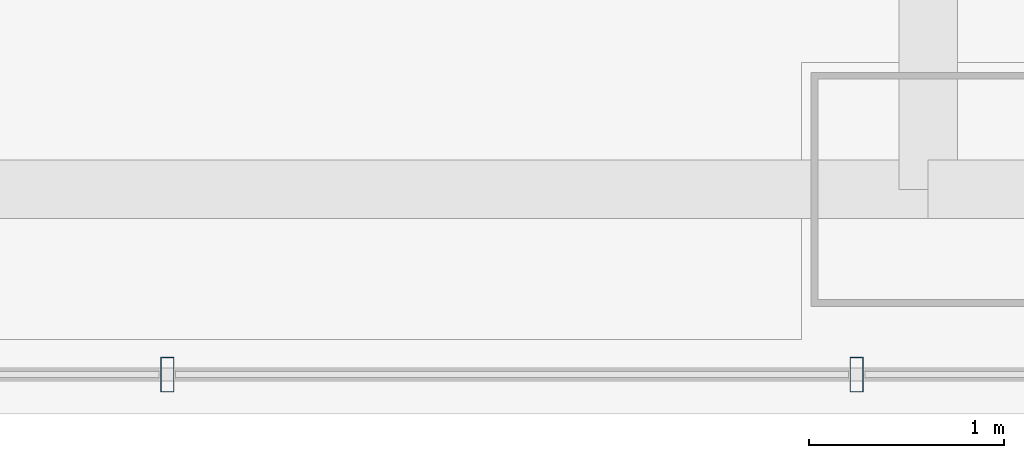
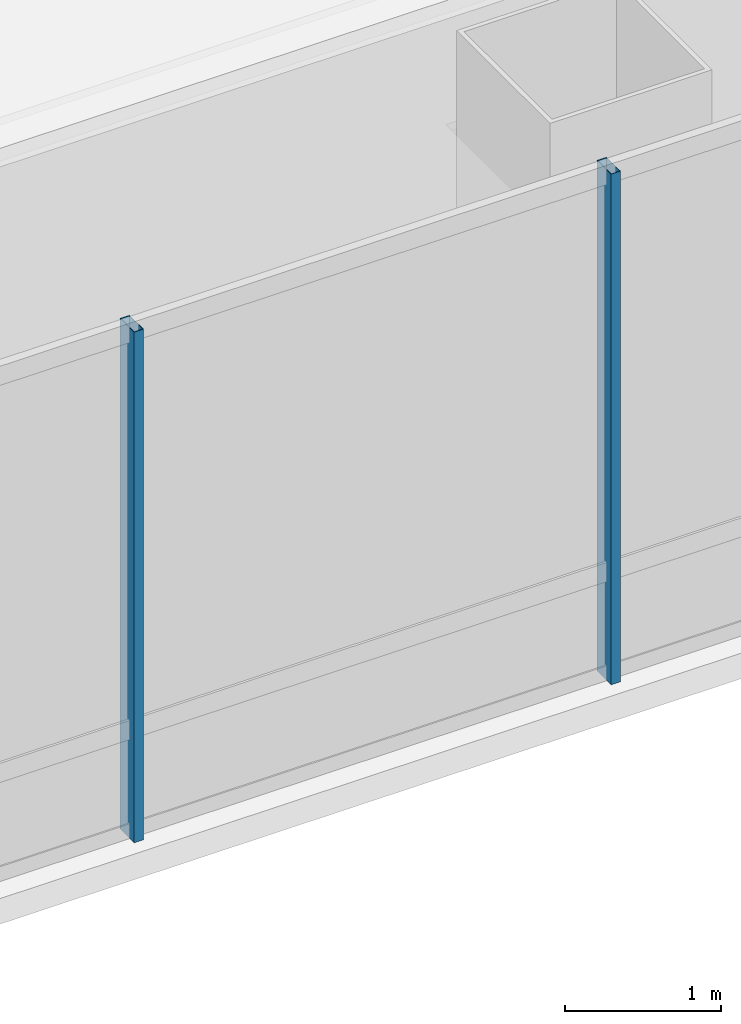
# One storey, part 7 of 42: 2 members, 1 element without a shape of its own.
"""IFC4 building model written with IfcOpenShell, lengths in metres."""

from ifc_helpers import new_model, si_unit, direction, frame, origin, origin_2d, place, context, subcontext, project, spatial, hollow_rectangle, extrude, material, material_profile, profile_set, type_object, element, aggregate, save


model = new_model("IFC4")

# Units and contexts
model_context = context("Model", 3, precision=1e-05, world=origin(), true_north=direction((0.0, 1.0)))
body_context = subcontext(model_context, "Body", "Model", "MODEL_VIEW")
ifc_project = project(units=[si_unit("LENGTHUNIT", "METRE"), si_unit("AREAUNIT", "SQUARE_METRE"), si_unit("VOLUMEUNIT", "CUBIC_METRE"), si_unit("PLANEANGLEUNIT", "RADIAN"), si_unit("MASSUNIT", "GRAM", prefix="KILO")], contexts=[model_context])

# Site, building, storey
site_placement = place(None, origin())
site = spatial("IfcSite", under=ifc_project, at=site_placement, CompositionType="ELEMENT")
building_placement = place(site_placement, origin())
building = spatial("IfcBuilding", under=site, at=building_placement, Name="Punatoya Terracotta Tower", CompositionType="ELEMENT")
storey_placement = place(building_placement, frame((0.0, 0.0, 296.39990234375)))
storey = spatial("IfcBuildingStorey", under=building, at=storey_placement, Name="L70", CompositionType="ELEMENT", Elevation=296.39990234375)

# Curtain wall, members
ifc_material_1 = material(Name="Aluminium 6063-T6 + Double Low-E Glass", Category="aluminium")
curtain_wall_type = type_object("IfcCurtainWallType", Name="CW-M3", PredefinedType="NOTDEFINED", material=ifc_material_1)
curtain_wall_placement = place(storey_placement, origin())
curtain_wall = element("IfcCurtainWall", 1, at=curtain_wall_placement, inside=storey, type_object=curtain_wall_type, Name="L70 Curtain Wall CW-L70-S01-1", PredefinedType="NOTDEFINED")
ifc_material_2 = material(Name="Aluminium 6063-T6", Category="aluminium")
ifc_material_profile = material_profile(ifc_material_2, hollow_rectangle(XDim=0.070068359375, YDim=0.179931640625, WallThickness=0.00390625, at=origin_2d()))
ifc_profile_set = profile_set([ifc_material_profile], Name="Aluminium 6063-T6")
member_type = type_object("IfcMemberType", Name="CW-MUL-M3", PredefinedType="MULLION", material=ifc_profile_set)
member_1_placement = place(storey_placement, frame((-7.700927734375, -18.449951171875, 0.0), z_axis=(0.0, 0.0, 1.0), x_axis=(1.0, 0.0, 0.0)))
member_1 = element("IfcMember", 2, at=member_1_placement, type_object=member_type, Name="CW-L70-S01-1 Mullion 04", PredefinedType="MULLION", context=body_context, shape_type="SweptSolid", body=[
    extrude(hollow_rectangle(XDim=0.070068359375, YDim=0.179931640625, WallThickness=0.00390625, at=origin_2d()), origin(), (0.0, 0.0, 1.0), 4.0),
])
member_2_placement = place(storey_placement, frame((-4.1669921875, -18.449951171875, 0.0), z_axis=(0.0, 0.0, 1.0), x_axis=(1.0, 0.0, 0.0)))
member_2 = element("IfcMember", 3, at=member_2_placement, type_object=member_type, Name="CW-L70-S01-1 Mullion 05", PredefinedType="MULLION", context=body_context, shape_type="SweptSolid", body=[
    extrude(hollow_rectangle(XDim=0.070068359375, YDim=0.179931640625, WallThickness=0.00390625, at=origin_2d()), origin(), (0.0, 0.0, 1.0), 4.0),
])
aggregate(curtain_wall, [member_1, member_2])

save(model, "model.ifc")
